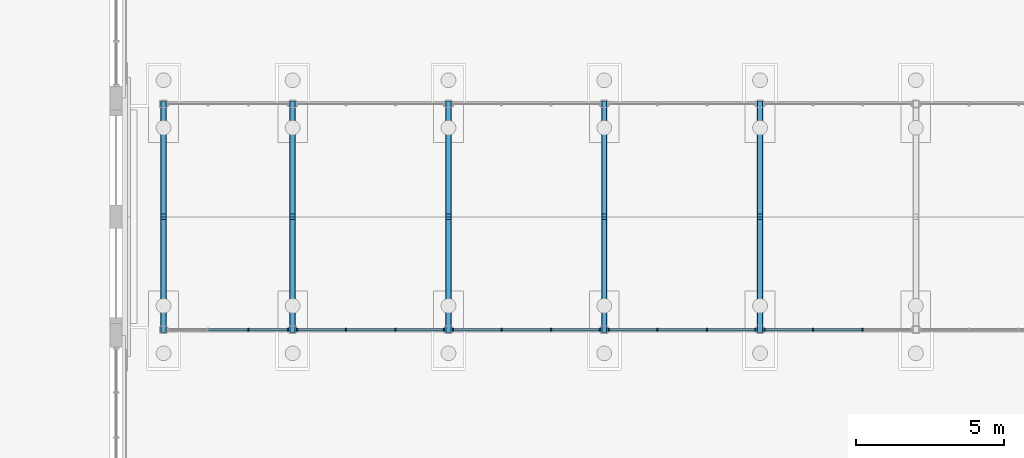
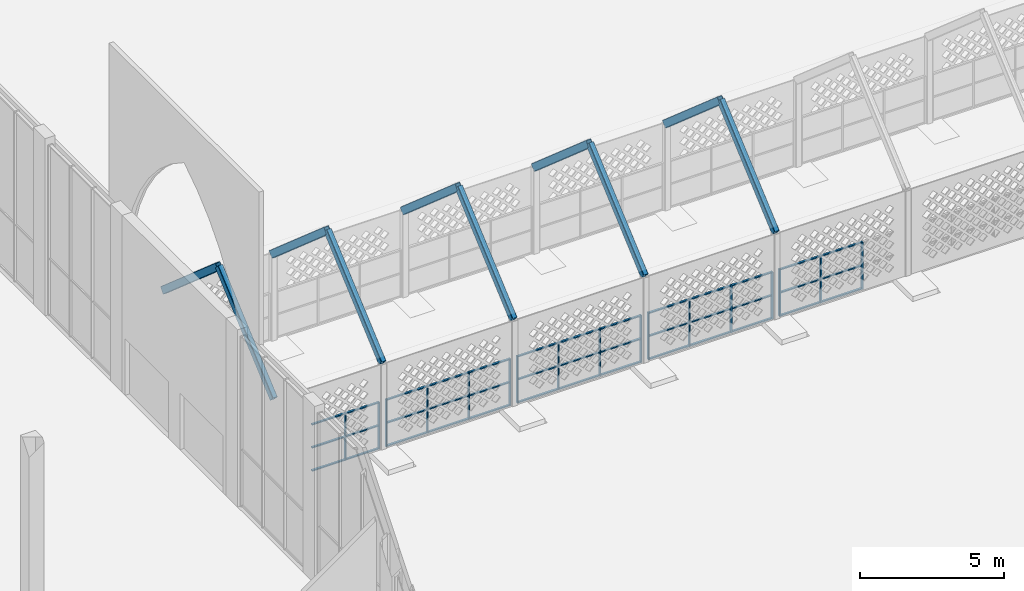
# One storey, part 20 of 79: 66 members, 5 elements without a shape of their own.
"""IFC4 building model written with IfcOpenShell, lengths in metres."""

from ifc_helpers import new_model, si_unit, direction, frame, origin, origin_2d, place, context, subcontext, project, spatial, rectangle, hollow_rectangle, extrude, material, layer, layer_set, material_profile, profile_set, type_object, element, aggregate, save


model = new_model("IFC4")

# Units and contexts
model_context = context("Model", 3, precision=1e-05, world=origin(), true_north=direction((0.0, 1.0)))
body_context = subcontext(model_context, "Body", "Model", "MODEL_VIEW")
ifc_project = project(units=[si_unit("LENGTHUNIT", "METRE"), si_unit("AREAUNIT", "SQUARE_METRE"), si_unit("VOLUMEUNIT", "CUBIC_METRE"), si_unit("PLANEANGLEUNIT", "RADIAN"), si_unit("MASSUNIT", "GRAM", prefix="KILO")], contexts=[model_context])

# Site, building, storey
site_placement = place(None, origin())
site = spatial("IfcSite", under=ifc_project, at=site_placement, CompositionType="ELEMENT")
building_placement = place(site_placement, origin())
building = spatial("IfcBuilding", under=site, at=building_placement, Name="Noorbagh Ring Tower", CompositionType="ELEMENT")
storey_placement = place(building_placement, origin())
storey = spatial("IfcBuildingStorey", under=building, at=storey_placement, Name="L00", CompositionType="ELEMENT", Elevation=0.0)

# Curtain wall, members
ifc_material_1 = material(Name="Aluminium and glass", Category="aluminium")
ifc_layer = layer(ifc_material_1, 0.10009765625)
ifc_layer_set = layer_set([ifc_layer], Name="Aluminium and glass")
curtain_wall_type = type_object("IfcCurtainWallType", Name="AR-CW", PredefinedType="NOTDEFINED", material=ifc_layer_set)
curtain_wall_1_placement = place(storey_placement, origin())
curtain_wall_1 = element("IfcCurtainWall", 1, at=curtain_wall_1_placement, inside=storey, type_object=curtain_wall_type, Name="Arcade glazing", PredefinedType="NOTDEFINED")
ifc_material_2 = material(Name="Aluminium", Category="aluminium")
ifc_material_profile_1 = material_profile(ifc_material_2, rectangle(XDim=0.10009765625, YDim=0.050048828125, at=origin_2d()), Name="AL 100x50")
ifc_profile_set_1 = profile_set([ifc_material_profile_1], Name="Aluminium")
member_type_1 = type_object("IfcMemberType", Name="AR-CW-MULLION", PredefinedType="MULLION", material=ifc_profile_set_1)
member_1_placement = place(storey_placement, frame((-90.74169921875, 1.199951171875, 0.0), z_axis=(0.0, 0.0, 1.0), x_axis=(0.0, 1.0, 0.0)))
member_1 = element("IfcMember", 2, at=member_1_placement, type_object=member_type_1, Name="CW-A mullion 3", PredefinedType="MULLION", context=body_context, shape_type="SweptSolid", body=[
    extrude(rectangle(XDim=0.10009765625, YDim=0.050048828125, at=origin_2d()), origin(), (0.0, 0.0, 1.0), 2.0),
])
member_2_placement = place(storey_placement, frame((-89.39990234375, 1.199951171875, 0.0), z_axis=(0.0, 0.0, 1.0), x_axis=(0.0, 1.0, 0.0)))
member_2 = element("IfcMember", 3, at=member_2_placement, type_object=member_type_1, Name="CW-A mullion 4", PredefinedType="MULLION", context=body_context, shape_type="SweptSolid", body=[
    extrude(rectangle(XDim=0.10009765625, YDim=0.050048828125, at=origin_2d()), origin(), (0.0, 0.0, 1.0), 2.0),
])

curtain_wall_2_placement = place(storey_placement, origin())
curtain_wall_2 = element("IfcCurtainWall", 4, at=curtain_wall_2_placement, inside=storey, type_object=curtain_wall_type, Name="Arcade glazing", PredefinedType="NOTDEFINED")
member_3_placement = place(storey_placement, frame((-89.10009765625, 1.199951171875, 0.0), z_axis=(0.0, 0.0, 1.0), x_axis=(0.0, 1.0, 0.0)))
member_3 = element("IfcMember", 5, at=member_3_placement, type_object=member_type_1, Name="CW-A mullion 1", PredefinedType="MULLION", context=body_context, shape_type="SweptSolid", body=[
    extrude(rectangle(XDim=0.10009765625, YDim=0.050048828125, at=origin_2d()), origin(), (0.0, 0.0, 1.0), 2.0),
])
member_4_placement = place(storey_placement, frame((-87.458251953125, 1.199951171875, 0.0), z_axis=(0.0, 0.0, 1.0), x_axis=(0.0, 1.0, 0.0)))
member_4 = element("IfcMember", 6, at=member_4_placement, type_object=member_type_1, Name="CW-A mullion 2", PredefinedType="MULLION", context=body_context, shape_type="SweptSolid", body=[
    extrude(rectangle(XDim=0.10009765625, YDim=0.050048828125, at=origin_2d()), origin(), (0.0, 0.0, 1.0), 2.0),
])
member_5_placement = place(storey_placement, frame((-85.791748046875, 1.199951171875, 0.0), z_axis=(0.0, 0.0, 1.0), x_axis=(0.0, 1.0, 0.0)))
member_5 = element("IfcMember", 7, at=member_5_placement, type_object=member_type_1, Name="CW-A mullion 3", PredefinedType="MULLION", context=body_context, shape_type="SweptSolid", body=[
    extrude(rectangle(XDim=0.10009765625, YDim=0.050048828125, at=origin_2d()), origin(), (0.0, 0.0, 1.0), 2.0),
])
member_6_placement = place(storey_placement, frame((-84.14990234375, 1.199951171875, 0.0), z_axis=(0.0, 0.0, 1.0), x_axis=(0.0, 1.0, 0.0)))
member_6 = element("IfcMember", 8, at=member_6_placement, type_object=member_type_1, Name="CW-A mullion 4", PredefinedType="MULLION", context=body_context, shape_type="SweptSolid", body=[
    extrude(rectangle(XDim=0.10009765625, YDim=0.050048828125, at=origin_2d()), origin(), (0.0, 0.0, 1.0), 2.0),
])

curtain_wall_3_placement = place(storey_placement, origin())
curtain_wall_3 = element("IfcCurtainWall", 9, at=curtain_wall_3_placement, inside=storey, type_object=curtain_wall_type, Name="Arcade glazing", PredefinedType="NOTDEFINED")
member_7_placement = place(storey_placement, frame((-83.85009765625, 1.199951171875, 0.0), z_axis=(0.0, 0.0, 1.0), x_axis=(0.0, 1.0, 0.0)))
member_7 = element("IfcMember", 10, at=member_7_placement, type_object=member_type_1, Name="CW-A mullion 1", PredefinedType="MULLION", context=body_context, shape_type="SweptSolid", body=[
    extrude(rectangle(XDim=0.10009765625, YDim=0.050048828125, at=origin_2d()), origin(), (0.0, 0.0, 1.0), 2.0),
])
member_8_placement = place(storey_placement, frame((-82.208251953125, 1.199951171875, 0.0), z_axis=(0.0, 0.0, 1.0), x_axis=(0.0, 1.0, 0.0)))
member_8 = element("IfcMember", 11, at=member_8_placement, type_object=member_type_1, Name="CW-A mullion 2", PredefinedType="MULLION", context=body_context, shape_type="SweptSolid", body=[
    extrude(rectangle(XDim=0.10009765625, YDim=0.050048828125, at=origin_2d()), origin(), (0.0, 0.0, 1.0), 2.0),
])
member_9_placement = place(storey_placement, frame((-80.541748046875, 1.199951171875, 0.0), z_axis=(0.0, 0.0, 1.0), x_axis=(0.0, 1.0, 0.0)))
member_9 = element("IfcMember", 12, at=member_9_placement, type_object=member_type_1, Name="CW-A mullion 3", PredefinedType="MULLION", context=body_context, shape_type="SweptSolid", body=[
    extrude(rectangle(XDim=0.10009765625, YDim=0.050048828125, at=origin_2d()), origin(), (0.0, 0.0, 1.0), 2.0),
])
member_10_placement = place(storey_placement, frame((-78.89990234375, 1.199951171875, 0.0), z_axis=(0.0, 0.0, 1.0), x_axis=(0.0, 1.0, 0.0)))
member_10 = element("IfcMember", 13, at=member_10_placement, type_object=member_type_1, Name="CW-A mullion 4", PredefinedType="MULLION", context=body_context, shape_type="SweptSolid", body=[
    extrude(rectangle(XDim=0.10009765625, YDim=0.050048828125, at=origin_2d()), origin(), (0.0, 0.0, 1.0), 2.0),
])

curtain_wall_4_placement = place(storey_placement, origin())
curtain_wall_4 = element("IfcCurtainWall", 14, at=curtain_wall_4_placement, inside=storey, type_object=curtain_wall_type, Name="Arcade glazing", PredefinedType="NOTDEFINED")
member_11_placement = place(storey_placement, frame((-78.60009765625, 1.199951171875, 0.0), z_axis=(0.0, 0.0, 1.0), x_axis=(0.0, 1.0, 0.0)))
member_11 = element("IfcMember", 15, at=member_11_placement, type_object=member_type_1, Name="CW-A mullion 1", PredefinedType="MULLION", context=body_context, shape_type="SweptSolid", body=[
    extrude(rectangle(XDim=0.10009765625, YDim=0.050048828125, at=origin_2d()), origin(), (0.0, 0.0, 1.0), 2.0),
])
member_12_placement = place(storey_placement, frame((-76.958251953125, 1.199951171875, 0.0), z_axis=(0.0, 0.0, 1.0), x_axis=(0.0, 1.0, 0.0)))
member_12 = element("IfcMember", 16, at=member_12_placement, type_object=member_type_1, Name="CW-A mullion 2", PredefinedType="MULLION", context=body_context, shape_type="SweptSolid", body=[
    extrude(rectangle(XDim=0.10009765625, YDim=0.050048828125, at=origin_2d()), origin(), (0.0, 0.0, 1.0), 2.0),
])
member_13_placement = place(storey_placement, frame((-75.291748046875, 1.199951171875, 0.0), z_axis=(0.0, 0.0, 1.0), x_axis=(0.0, 1.0, 0.0)))
member_13 = element("IfcMember", 17, at=member_13_placement, type_object=member_type_1, Name="CW-A mullion 3", PredefinedType="MULLION", context=body_context, shape_type="SweptSolid", body=[
    extrude(rectangle(XDim=0.10009765625, YDim=0.050048828125, at=origin_2d()), origin(), (0.0, 0.0, 1.0), 2.0),
])
member_14_placement = place(storey_placement, frame((-73.64990234375, 1.199951171875, 0.0), z_axis=(0.0, 0.0, 1.0), x_axis=(0.0, 1.0, 0.0)))
member_14 = element("IfcMember", 18, at=member_14_placement, type_object=member_type_1, Name="CW-A mullion 4", PredefinedType="MULLION", context=body_context, shape_type="SweptSolid", body=[
    extrude(rectangle(XDim=0.10009765625, YDim=0.050048828125, at=origin_2d()), origin(), (0.0, 0.0, 1.0), 2.0),
])

curtain_wall_5_placement = place(storey_placement, origin())
curtain_wall_5 = element("IfcCurtainWall", 19, at=curtain_wall_5_placement, inside=storey, type_object=curtain_wall_type, Name="Arcade glazing", PredefinedType="NOTDEFINED")
member_15_placement = place(storey_placement, frame((-73.35009765625, 1.199951171875, 0.0), z_axis=(0.0, 0.0, 1.0), x_axis=(0.0, 1.0, 0.0)))
member_15 = element("IfcMember", 20, at=member_15_placement, type_object=member_type_1, Name="CW-A mullion 1", PredefinedType="MULLION", context=body_context, shape_type="SweptSolid", body=[
    extrude(rectangle(XDim=0.10009765625, YDim=0.050048828125, at=origin_2d()), origin(), (0.0, 0.0, 1.0), 2.0),
])
member_16_placement = place(storey_placement, frame((-71.708251953125, 1.199951171875, 0.0), z_axis=(0.0, 0.0, 1.0), x_axis=(0.0, 1.0, 0.0)))
member_16 = element("IfcMember", 21, at=member_16_placement, type_object=member_type_1, Name="CW-A mullion 2", PredefinedType="MULLION", context=body_context, shape_type="SweptSolid", body=[
    extrude(rectangle(XDim=0.10009765625, YDim=0.050048828125, at=origin_2d()), origin(), (0.0, 0.0, 1.0), 2.0),
])
member_17_placement = place(storey_placement, frame((-70.041748046875, 1.199951171875, 0.0), z_axis=(0.0, 0.0, 1.0), x_axis=(0.0, 1.0, 0.0)))
member_17 = element("IfcMember", 22, at=member_17_placement, type_object=member_type_1, Name="CW-A mullion 3", PredefinedType="MULLION", context=body_context, shape_type="SweptSolid", body=[
    extrude(rectangle(XDim=0.10009765625, YDim=0.050048828125, at=origin_2d()), origin(), (0.0, 0.0, 1.0), 2.0),
])

# Member
ifc_material_3 = material(Name="Aluminium", Category="aluminium")
ifc_material_profile_2 = material_profile(ifc_material_3, rectangle(XDim=0.080078125, YDim=0.050048828125, at=origin_2d()), Name="AL 80x50")
ifc_profile_set_2 = profile_set([ifc_material_profile_2], Name="Aluminium")
member_type_2 = type_object("IfcMemberType", Name="AR-CW-TRANSOM", PredefinedType="USERDEFINED", material=ifc_profile_set_2)
member_18_placement = place(storey_placement, frame((-92.083251953125, 1.199951171875, 0.02490234375), z_axis=(1.0, 0.0, 0.0), x_axis=(0.0, 1.0, 0.0)))
member_18 = element("IfcMember", 23, at=member_18_placement, type_object=member_type_2, Name="CW-A transom 2.1", ObjectType="TRANSOM", PredefinedType="USERDEFINED", context=body_context, shape_type="SweptSolid", body=[
    extrude(rectangle(XDim=0.080078125, YDim=0.050048828125, at=origin_2d()), origin(), (0.0, 0.0, 1.0), 1.316650390625),
])

member_19_placement = place(storey_placement, frame((-92.083251953125, 1.199951171875, 1.0), z_axis=(1.0, 0.0, 0.0), x_axis=(0.0, 1.0, 0.0)))
member_19 = element("IfcMember", 24, at=member_19_placement, type_object=member_type_2, Name="CW-A transom 2.2", ObjectType="TRANSOM", PredefinedType="USERDEFINED", context=body_context, shape_type="SweptSolid", body=[
    extrude(rectangle(XDim=0.080078125, YDim=0.050048828125, at=origin_2d()), origin(), (0.0, 0.0, 1.0), 1.316650390625),
])

member_20_placement = place(storey_placement, frame((-92.083251953125, 1.199951171875, 1.97509765625), z_axis=(1.0, 0.0, 0.0), x_axis=(0.0, 1.0, 0.0)))
member_20 = element("IfcMember", 25, at=member_20_placement, type_object=member_type_2, Name="CW-A transom 2.3", ObjectType="TRANSOM", PredefinedType="USERDEFINED", context=body_context, shape_type="SweptSolid", body=[
    extrude(rectangle(XDim=0.080078125, YDim=0.050048828125, at=origin_2d()), origin(), (0.0, 0.0, 1.0), 1.316650390625),
])

member_21_placement = place(storey_placement, frame((-90.716552734375, 1.199951171875, 0.02490234375), z_axis=(1.0, 0.0, 0.0), x_axis=(0.0, 1.0, 0.0)))
member_21 = element("IfcMember", 26, at=member_21_placement, type_object=member_type_2, Name="CW-A transom 3.1", ObjectType="TRANSOM", PredefinedType="USERDEFINED", context=body_context, shape_type="SweptSolid", body=[
    extrude(rectangle(XDim=0.080078125, YDim=0.050048828125, at=origin_2d()), origin(), (0.0, 0.0, 1.0), 1.29150390625),
])

member_22_placement = place(storey_placement, frame((-90.716552734375, 1.199951171875, 1.0), z_axis=(1.0, 0.0, 0.0), x_axis=(0.0, 1.0, 0.0)))
member_22 = element("IfcMember", 27, at=member_22_placement, type_object=member_type_2, Name="CW-A transom 3.2", ObjectType="TRANSOM", PredefinedType="USERDEFINED", context=body_context, shape_type="SweptSolid", body=[
    extrude(rectangle(XDim=0.080078125, YDim=0.050048828125, at=origin_2d()), origin(), (0.0, 0.0, 1.0), 1.29150390625),
])

member_23_placement = place(storey_placement, frame((-90.716552734375, 1.199951171875, 1.97509765625), z_axis=(1.0, 0.0, 0.0), x_axis=(0.0, 1.0, 0.0)))
member_23 = element("IfcMember", 28, at=member_23_placement, type_object=member_type_2, Name="CW-A transom 3.3", ObjectType="TRANSOM", PredefinedType="USERDEFINED", context=body_context, shape_type="SweptSolid", body=[
    extrude(rectangle(XDim=0.080078125, YDim=0.050048828125, at=origin_2d()), origin(), (0.0, 0.0, 1.0), 1.29150390625),
])

aggregate(curtain_wall_1, [member_1, member_2, member_18, member_19, member_20, member_21, member_22, member_23])

member_24_placement = place(storey_placement, frame((-89.074951171875, 1.199951171875, 0.02490234375), z_axis=(1.0, 0.0, 0.0), x_axis=(0.0, 1.0, 0.0)))
member_24 = element("IfcMember", 29, at=member_24_placement, type_object=member_type_2, Name="CW-A transom 1.1", ObjectType="TRANSOM", PredefinedType="USERDEFINED", context=body_context, shape_type="SweptSolid", body=[
    extrude(rectangle(XDim=0.080078125, YDim=0.050048828125, at=origin_2d()), origin(), (0.0, 0.0, 1.0), 1.591552734375),
])

member_25_placement = place(storey_placement, frame((-89.074951171875, 1.199951171875, 1.0), z_axis=(1.0, 0.0, 0.0), x_axis=(0.0, 1.0, 0.0)))
member_25 = element("IfcMember", 30, at=member_25_placement, type_object=member_type_2, Name="CW-A transom 1.2", ObjectType="TRANSOM", PredefinedType="USERDEFINED", context=body_context, shape_type="SweptSolid", body=[
    extrude(rectangle(XDim=0.080078125, YDim=0.050048828125, at=origin_2d()), origin(), (0.0, 0.0, 1.0), 1.591552734375),
])

member_26_placement = place(storey_placement, frame((-89.074951171875, 1.199951171875, 1.97509765625), z_axis=(1.0, 0.0, 0.0), x_axis=(0.0, 1.0, 0.0)))
member_26 = element("IfcMember", 31, at=member_26_placement, type_object=member_type_2, Name="CW-A transom 1.3", ObjectType="TRANSOM", PredefinedType="USERDEFINED", context=body_context, shape_type="SweptSolid", body=[
    extrude(rectangle(XDim=0.080078125, YDim=0.050048828125, at=origin_2d()), origin(), (0.0, 0.0, 1.0), 1.591552734375),
])

member_27_placement = place(storey_placement, frame((-87.433349609375, 1.199951171875, 0.02490234375), z_axis=(1.0, 0.0, 0.0), x_axis=(0.0, 1.0, 0.0)))
member_27 = element("IfcMember", 32, at=member_27_placement, type_object=member_type_2, Name="CW-A transom 2.1", ObjectType="TRANSOM", PredefinedType="USERDEFINED", context=body_context, shape_type="SweptSolid", body=[
    extrude(rectangle(XDim=0.080078125, YDim=0.050048828125, at=origin_2d()), origin(), (0.0, 0.0, 1.0), 1.61669921875),
])

member_28_placement = place(storey_placement, frame((-87.433349609375, 1.199951171875, 1.0), z_axis=(1.0, 0.0, 0.0), x_axis=(0.0, 1.0, 0.0)))
member_28 = element("IfcMember", 33, at=member_28_placement, type_object=member_type_2, Name="CW-A transom 2.2", ObjectType="TRANSOM", PredefinedType="USERDEFINED", context=body_context, shape_type="SweptSolid", body=[
    extrude(rectangle(XDim=0.080078125, YDim=0.050048828125, at=origin_2d()), origin(), (0.0, 0.0, 1.0), 1.61669921875),
])

member_29_placement = place(storey_placement, frame((-87.433349609375, 1.199951171875, 1.97509765625), z_axis=(1.0, 0.0, 0.0), x_axis=(0.0, 1.0, 0.0)))
member_29 = element("IfcMember", 34, at=member_29_placement, type_object=member_type_2, Name="CW-A transom 2.3", ObjectType="TRANSOM", PredefinedType="USERDEFINED", context=body_context, shape_type="SweptSolid", body=[
    extrude(rectangle(XDim=0.080078125, YDim=0.050048828125, at=origin_2d()), origin(), (0.0, 0.0, 1.0), 1.61669921875),
])

member_30_placement = place(storey_placement, frame((-85.7666015625, 1.199951171875, 0.02490234375), z_axis=(1.0, 0.0, 0.0), x_axis=(0.0, 1.0, 0.0)))
member_30 = element("IfcMember", 35, at=member_30_placement, type_object=member_type_2, Name="CW-A transom 3.1", ObjectType="TRANSOM", PredefinedType="USERDEFINED", context=body_context, shape_type="SweptSolid", body=[
    extrude(rectangle(XDim=0.080078125, YDim=0.050048828125, at=origin_2d()), origin(), (0.0, 0.0, 1.0), 1.591552734375),
])

member_31_placement = place(storey_placement, frame((-85.7666015625, 1.199951171875, 1.0), z_axis=(1.0, 0.0, 0.0), x_axis=(0.0, 1.0, 0.0)))
member_31 = element("IfcMember", 36, at=member_31_placement, type_object=member_type_2, Name="CW-A transom 3.2", ObjectType="TRANSOM", PredefinedType="USERDEFINED", context=body_context, shape_type="SweptSolid", body=[
    extrude(rectangle(XDim=0.080078125, YDim=0.050048828125, at=origin_2d()), origin(), (0.0, 0.0, 1.0), 1.591552734375),
])

member_32_placement = place(storey_placement, frame((-85.7666015625, 1.199951171875, 1.97509765625), z_axis=(1.0, 0.0, 0.0), x_axis=(0.0, 1.0, 0.0)))
member_32 = element("IfcMember", 37, at=member_32_placement, type_object=member_type_2, Name="CW-A transom 3.3", ObjectType="TRANSOM", PredefinedType="USERDEFINED", context=body_context, shape_type="SweptSolid", body=[
    extrude(rectangle(XDim=0.080078125, YDim=0.050048828125, at=origin_2d()), origin(), (0.0, 0.0, 1.0), 1.591552734375),
])

aggregate(curtain_wall_2, [member_3, member_4, member_5, member_6, member_24, member_25, member_26, member_27, member_28, member_29, member_30, member_31, member_32])

member_33_placement = place(storey_placement, frame((-83.824951171875, 1.199951171875, 0.02490234375), z_axis=(1.0, 0.0, 0.0), x_axis=(0.0, 1.0, 0.0)))
member_33 = element("IfcMember", 38, at=member_33_placement, type_object=member_type_2, Name="CW-A transom 1.1", ObjectType="TRANSOM", PredefinedType="USERDEFINED", context=body_context, shape_type="SweptSolid", body=[
    extrude(rectangle(XDim=0.080078125, YDim=0.050048828125, at=origin_2d()), origin(), (0.0, 0.0, 1.0), 1.591552734375),
])

member_34_placement = place(storey_placement, frame((-83.824951171875, 1.199951171875, 1.0), z_axis=(1.0, 0.0, 0.0), x_axis=(0.0, 1.0, 0.0)))
member_34 = element("IfcMember", 39, at=member_34_placement, type_object=member_type_2, Name="CW-A transom 1.2", ObjectType="TRANSOM", PredefinedType="USERDEFINED", context=body_context, shape_type="SweptSolid", body=[
    extrude(rectangle(XDim=0.080078125, YDim=0.050048828125, at=origin_2d()), origin(), (0.0, 0.0, 1.0), 1.591552734375),
])

member_35_placement = place(storey_placement, frame((-83.824951171875, 1.199951171875, 1.97509765625), z_axis=(1.0, 0.0, 0.0), x_axis=(0.0, 1.0, 0.0)))
member_35 = element("IfcMember", 40, at=member_35_placement, type_object=member_type_2, Name="CW-A transom 1.3", ObjectType="TRANSOM", PredefinedType="USERDEFINED", context=body_context, shape_type="SweptSolid", body=[
    extrude(rectangle(XDim=0.080078125, YDim=0.050048828125, at=origin_2d()), origin(), (0.0, 0.0, 1.0), 1.591552734375),
])

member_36_placement = place(storey_placement, frame((-82.183349609375, 1.199951171875, 0.02490234375), z_axis=(1.0, 0.0, 0.0), x_axis=(0.0, 1.0, 0.0)))
member_36 = element("IfcMember", 41, at=member_36_placement, type_object=member_type_2, Name="CW-A transom 2.1", ObjectType="TRANSOM", PredefinedType="USERDEFINED", context=body_context, shape_type="SweptSolid", body=[
    extrude(rectangle(XDim=0.080078125, YDim=0.050048828125, at=origin_2d()), origin(), (0.0, 0.0, 1.0), 1.61669921875),
])

member_37_placement = place(storey_placement, frame((-82.183349609375, 1.199951171875, 1.0), z_axis=(1.0, 0.0, 0.0), x_axis=(0.0, 1.0, 0.0)))
member_37 = element("IfcMember", 42, at=member_37_placement, type_object=member_type_2, Name="CW-A transom 2.2", ObjectType="TRANSOM", PredefinedType="USERDEFINED", context=body_context, shape_type="SweptSolid", body=[
    extrude(rectangle(XDim=0.080078125, YDim=0.050048828125, at=origin_2d()), origin(), (0.0, 0.0, 1.0), 1.61669921875),
])

member_38_placement = place(storey_placement, frame((-82.183349609375, 1.199951171875, 1.97509765625), z_axis=(1.0, 0.0, 0.0), x_axis=(0.0, 1.0, 0.0)))
member_38 = element("IfcMember", 43, at=member_38_placement, type_object=member_type_2, Name="CW-A transom 2.3", ObjectType="TRANSOM", PredefinedType="USERDEFINED", context=body_context, shape_type="SweptSolid", body=[
    extrude(rectangle(XDim=0.080078125, YDim=0.050048828125, at=origin_2d()), origin(), (0.0, 0.0, 1.0), 1.61669921875),
])

member_39_placement = place(storey_placement, frame((-80.5166015625, 1.199951171875, 0.02490234375), z_axis=(1.0, 0.0, 0.0), x_axis=(0.0, 1.0, 0.0)))
member_39 = element("IfcMember", 44, at=member_39_placement, type_object=member_type_2, Name="CW-A transom 3.1", ObjectType="TRANSOM", PredefinedType="USERDEFINED", context=body_context, shape_type="SweptSolid", body=[
    extrude(rectangle(XDim=0.080078125, YDim=0.050048828125, at=origin_2d()), origin(), (0.0, 0.0, 1.0), 1.591552734375),
])

member_40_placement = place(storey_placement, frame((-80.5166015625, 1.199951171875, 1.0), z_axis=(1.0, 0.0, 0.0), x_axis=(0.0, 1.0, 0.0)))
member_40 = element("IfcMember", 45, at=member_40_placement, type_object=member_type_2, Name="CW-A transom 3.2", ObjectType="TRANSOM", PredefinedType="USERDEFINED", context=body_context, shape_type="SweptSolid", body=[
    extrude(rectangle(XDim=0.080078125, YDim=0.050048828125, at=origin_2d()), origin(), (0.0, 0.0, 1.0), 1.591552734375),
])

member_41_placement = place(storey_placement, frame((-80.5166015625, 1.199951171875, 1.97509765625), z_axis=(1.0, 0.0, 0.0), x_axis=(0.0, 1.0, 0.0)))
member_41 = element("IfcMember", 46, at=member_41_placement, type_object=member_type_2, Name="CW-A transom 3.3", ObjectType="TRANSOM", PredefinedType="USERDEFINED", context=body_context, shape_type="SweptSolid", body=[
    extrude(rectangle(XDim=0.080078125, YDim=0.050048828125, at=origin_2d()), origin(), (0.0, 0.0, 1.0), 1.591552734375),
])

aggregate(curtain_wall_3, [member_7, member_8, member_9, member_10, member_33, member_34, member_35, member_36, member_37, member_38, member_39, member_40, member_41])

member_42_placement = place(storey_placement, frame((-78.574951171875, 1.199951171875, 0.02490234375), z_axis=(1.0, 0.0, 0.0), x_axis=(0.0, 1.0, 0.0)))
member_42 = element("IfcMember", 47, at=member_42_placement, type_object=member_type_2, Name="CW-A transom 1.1", ObjectType="TRANSOM", PredefinedType="USERDEFINED", context=body_context, shape_type="SweptSolid", body=[
    extrude(rectangle(XDim=0.080078125, YDim=0.050048828125, at=origin_2d()), origin(), (0.0, 0.0, 1.0), 1.591552734375),
])

member_43_placement = place(storey_placement, frame((-78.574951171875, 1.199951171875, 1.0), z_axis=(1.0, 0.0, 0.0), x_axis=(0.0, 1.0, 0.0)))
member_43 = element("IfcMember", 48, at=member_43_placement, type_object=member_type_2, Name="CW-A transom 1.2", ObjectType="TRANSOM", PredefinedType="USERDEFINED", context=body_context, shape_type="SweptSolid", body=[
    extrude(rectangle(XDim=0.080078125, YDim=0.050048828125, at=origin_2d()), origin(), (0.0, 0.0, 1.0), 1.591552734375),
])

member_44_placement = place(storey_placement, frame((-78.574951171875, 1.199951171875, 1.97509765625), z_axis=(1.0, 0.0, 0.0), x_axis=(0.0, 1.0, 0.0)))
member_44 = element("IfcMember", 49, at=member_44_placement, type_object=member_type_2, Name="CW-A transom 1.3", ObjectType="TRANSOM", PredefinedType="USERDEFINED", context=body_context, shape_type="SweptSolid", body=[
    extrude(rectangle(XDim=0.080078125, YDim=0.050048828125, at=origin_2d()), origin(), (0.0, 0.0, 1.0), 1.591552734375),
])

member_45_placement = place(storey_placement, frame((-76.933349609375, 1.199951171875, 0.02490234375), z_axis=(1.0, 0.0, 0.0), x_axis=(0.0, 1.0, 0.0)))
member_45 = element("IfcMember", 50, at=member_45_placement, type_object=member_type_2, Name="CW-A transom 2.1", ObjectType="TRANSOM", PredefinedType="USERDEFINED", context=body_context, shape_type="SweptSolid", body=[
    extrude(rectangle(XDim=0.080078125, YDim=0.050048828125, at=origin_2d()), origin(), (0.0, 0.0, 1.0), 1.61669921875),
])

member_46_placement = place(storey_placement, frame((-76.933349609375, 1.199951171875, 1.0), z_axis=(1.0, 0.0, 0.0), x_axis=(0.0, 1.0, 0.0)))
member_46 = element("IfcMember", 51, at=member_46_placement, type_object=member_type_2, Name="CW-A transom 2.2", ObjectType="TRANSOM", PredefinedType="USERDEFINED", context=body_context, shape_type="SweptSolid", body=[
    extrude(rectangle(XDim=0.080078125, YDim=0.050048828125, at=origin_2d()), origin(), (0.0, 0.0, 1.0), 1.61669921875),
])

member_47_placement = place(storey_placement, frame((-76.933349609375, 1.199951171875, 1.97509765625), z_axis=(1.0, 0.0, 0.0), x_axis=(0.0, 1.0, 0.0)))
member_47 = element("IfcMember", 52, at=member_47_placement, type_object=member_type_2, Name="CW-A transom 2.3", ObjectType="TRANSOM", PredefinedType="USERDEFINED", context=body_context, shape_type="SweptSolid", body=[
    extrude(rectangle(XDim=0.080078125, YDim=0.050048828125, at=origin_2d()), origin(), (0.0, 0.0, 1.0), 1.61669921875),
])

member_48_placement = place(storey_placement, frame((-75.2666015625, 1.199951171875, 0.02490234375), z_axis=(1.0, 0.0, 0.0), x_axis=(0.0, 1.0, 0.0)))
member_48 = element("IfcMember", 53, at=member_48_placement, type_object=member_type_2, Name="CW-A transom 3.1", ObjectType="TRANSOM", PredefinedType="USERDEFINED", context=body_context, shape_type="SweptSolid", body=[
    extrude(rectangle(XDim=0.080078125, YDim=0.050048828125, at=origin_2d()), origin(), (0.0, 0.0, 1.0), 1.591552734375),
])

member_49_placement = place(storey_placement, frame((-75.2666015625, 1.199951171875, 1.0), z_axis=(1.0, 0.0, 0.0), x_axis=(0.0, 1.0, 0.0)))
member_49 = element("IfcMember", 54, at=member_49_placement, type_object=member_type_2, Name="CW-A transom 3.2", ObjectType="TRANSOM", PredefinedType="USERDEFINED", context=body_context, shape_type="SweptSolid", body=[
    extrude(rectangle(XDim=0.080078125, YDim=0.050048828125, at=origin_2d()), origin(), (0.0, 0.0, 1.0), 1.591552734375),
])

member_50_placement = place(storey_placement, frame((-75.2666015625, 1.199951171875, 1.97509765625), z_axis=(1.0, 0.0, 0.0), x_axis=(0.0, 1.0, 0.0)))
member_50 = element("IfcMember", 55, at=member_50_placement, type_object=member_type_2, Name="CW-A transom 3.3", ObjectType="TRANSOM", PredefinedType="USERDEFINED", context=body_context, shape_type="SweptSolid", body=[
    extrude(rectangle(XDim=0.080078125, YDim=0.050048828125, at=origin_2d()), origin(), (0.0, 0.0, 1.0), 1.591552734375),
])

aggregate(curtain_wall_4, [member_11, member_12, member_13, member_14, member_42, member_43, member_44, member_45, member_46, member_47, member_48, member_49, member_50])

member_51_placement = place(storey_placement, frame((-73.324951171875, 1.199951171875, 0.02490234375), z_axis=(1.0, 0.0, 0.0), x_axis=(0.0, 1.0, 0.0)))
member_51 = element("IfcMember", 56, at=member_51_placement, type_object=member_type_2, Name="CW-A transom 1.1", ObjectType="TRANSOM", PredefinedType="USERDEFINED", context=body_context, shape_type="SweptSolid", body=[
    extrude(rectangle(XDim=0.080078125, YDim=0.050048828125, at=origin_2d()), origin(), (0.0, 0.0, 1.0), 1.591552734375),
])

member_52_placement = place(storey_placement, frame((-73.324951171875, 1.199951171875, 1.0), z_axis=(1.0, 0.0, 0.0), x_axis=(0.0, 1.0, 0.0)))
member_52 = element("IfcMember", 57, at=member_52_placement, type_object=member_type_2, Name="CW-A transom 1.2", ObjectType="TRANSOM", PredefinedType="USERDEFINED", context=body_context, shape_type="SweptSolid", body=[
    extrude(rectangle(XDim=0.080078125, YDim=0.050048828125, at=origin_2d()), origin(), (0.0, 0.0, 1.0), 1.591552734375),
])

member_53_placement = place(storey_placement, frame((-73.324951171875, 1.199951171875, 1.97509765625), z_axis=(1.0, 0.0, 0.0), x_axis=(0.0, 1.0, 0.0)))
member_53 = element("IfcMember", 58, at=member_53_placement, type_object=member_type_2, Name="CW-A transom 1.3", ObjectType="TRANSOM", PredefinedType="USERDEFINED", context=body_context, shape_type="SweptSolid", body=[
    extrude(rectangle(XDim=0.080078125, YDim=0.050048828125, at=origin_2d()), origin(), (0.0, 0.0, 1.0), 1.591552734375),
])

member_54_placement = place(storey_placement, frame((-71.683349609375, 1.199951171875, 0.02490234375), z_axis=(1.0, 0.0, 0.0), x_axis=(0.0, 1.0, 0.0)))
member_54 = element("IfcMember", 59, at=member_54_placement, type_object=member_type_2, Name="CW-A transom 2.1", ObjectType="TRANSOM", PredefinedType="USERDEFINED", context=body_context, shape_type="SweptSolid", body=[
    extrude(rectangle(XDim=0.080078125, YDim=0.050048828125, at=origin_2d()), origin(), (0.0, 0.0, 1.0), 1.61669921875),
])

member_55_placement = place(storey_placement, frame((-71.683349609375, 1.199951171875, 1.0), z_axis=(1.0, 0.0, 0.0), x_axis=(0.0, 1.0, 0.0)))
member_55 = element("IfcMember", 60, at=member_55_placement, type_object=member_type_2, Name="CW-A transom 2.2", ObjectType="TRANSOM", PredefinedType="USERDEFINED", context=body_context, shape_type="SweptSolid", body=[
    extrude(rectangle(XDim=0.080078125, YDim=0.050048828125, at=origin_2d()), origin(), (0.0, 0.0, 1.0), 1.61669921875),
])

member_56_placement = place(storey_placement, frame((-71.683349609375, 1.199951171875, 1.97509765625), z_axis=(1.0, 0.0, 0.0), x_axis=(0.0, 1.0, 0.0)))
member_56 = element("IfcMember", 61, at=member_56_placement, type_object=member_type_2, Name="CW-A transom 2.3", ObjectType="TRANSOM", PredefinedType="USERDEFINED", context=body_context, shape_type="SweptSolid", body=[
    extrude(rectangle(XDim=0.080078125, YDim=0.050048828125, at=origin_2d()), origin(), (0.0, 0.0, 1.0), 1.61669921875),
])

aggregate(curtain_wall_5, [member_15, member_16, member_17, member_51, member_52, member_53, member_54, member_55, member_56])

# Members
ifc_material_4 = material(Name="Steel S355", Category="steel")
ifc_material_profile_3 = material_profile(ifc_material_4, hollow_rectangle(XDim=0.199951171875, YDim=0.300048828125, WallThickness=0.012451171875, InnerFilletRadius=0.012451171875, OuterFilletRadius=0.03125, at=origin_2d()), Name="RHS300x200x12.5")
ifc_profile_set_3 = profile_set([ifc_material_profile_3], Name="Steel S355")
member_type_3 = type_object("IfcMemberType", Name="AR-RAFTER", PredefinedType="RAFTER", material=ifc_profile_set_3)
for number, where, z_axis, x_axis, name in (
    (62, (-93.60009765625, 1.199951171875, 3.60009765625), (0.0, 0.755056501482, 0.655659728495), (-1.0, 0.0, 0.0), "L00/ar-bm/1S"),
    (63, (-93.60009765625, 8.800048828125, 3.60009765625), (0.0, -0.755056501482, 0.655659728495), (1.0, 0.0, 0.0), "L00/ar-bm/1N"),
    (64, (-89.25, 1.199951171875, 3.60009765625), (0.0, 0.755056501482, 0.655659728495), (-1.0, 0.0, 0.0), "L00/ar-bm/2S"),
    (65, (-89.25, 8.800048828125, 3.60009765625), (0.0, -0.755056501482, 0.655659728495), (1.0, 0.0, 0.0), "L00/ar-bm/2N"),
    (66, (-84.0, 1.199951171875, 3.60009765625), (0.0, 0.755056501482, 0.655659728495), (-1.0, 0.0, 0.0), "L00/ar-bm/3S"),
    (67, (-84.0, 8.800048828125, 3.60009765625), (0.0, -0.755056501482, 0.655659728495), (1.0, 0.0, 0.0), "L00/ar-bm/3N"),
    (68, (-78.75, 1.199951171875, 3.60009765625), (0.0, 0.755056501482, 0.655659728495), (-1.0, 0.0, 0.0), "L00/ar-bm/4S"),
    (69, (-78.75, 8.800048828125, 3.60009765625), (0.0, -0.755056501482, 0.655659728495), (1.0, 0.0, 0.0), "L00/ar-bm/4N"),
    (70, (-73.5, 1.199951171875, 3.60009765625), (0.0, 0.755056501482, 0.655659728495), (-1.0, 0.0, 0.0), "L00/ar-bm/5S"),
    (71, (-73.5, 8.800048828125, 3.60009765625), (0.0, -0.755056501482, 0.655659728495), (1.0, 0.0, 0.0), "L00/ar-bm/5N"),
):
    element("IfcMember", number, at=place(storey_placement, frame(where, z_axis=z_axis, x_axis=x_axis)), inside=storey, type_object=member_type_3, Name=name, PredefinedType="RAFTER", context=body_context, shape_type="SweptSolid", body=[
        extrude(hollow_rectangle(XDim=0.199951171875, YDim=0.300048828125, WallThickness=0.012451171875, InnerFilletRadius=0.012451171875, OuterFilletRadius=0.03125, at=origin_2d()), origin(), (0.0, 0.0, 1.0), 5.03271484375),
    ])

save(model, "model.ifc")
